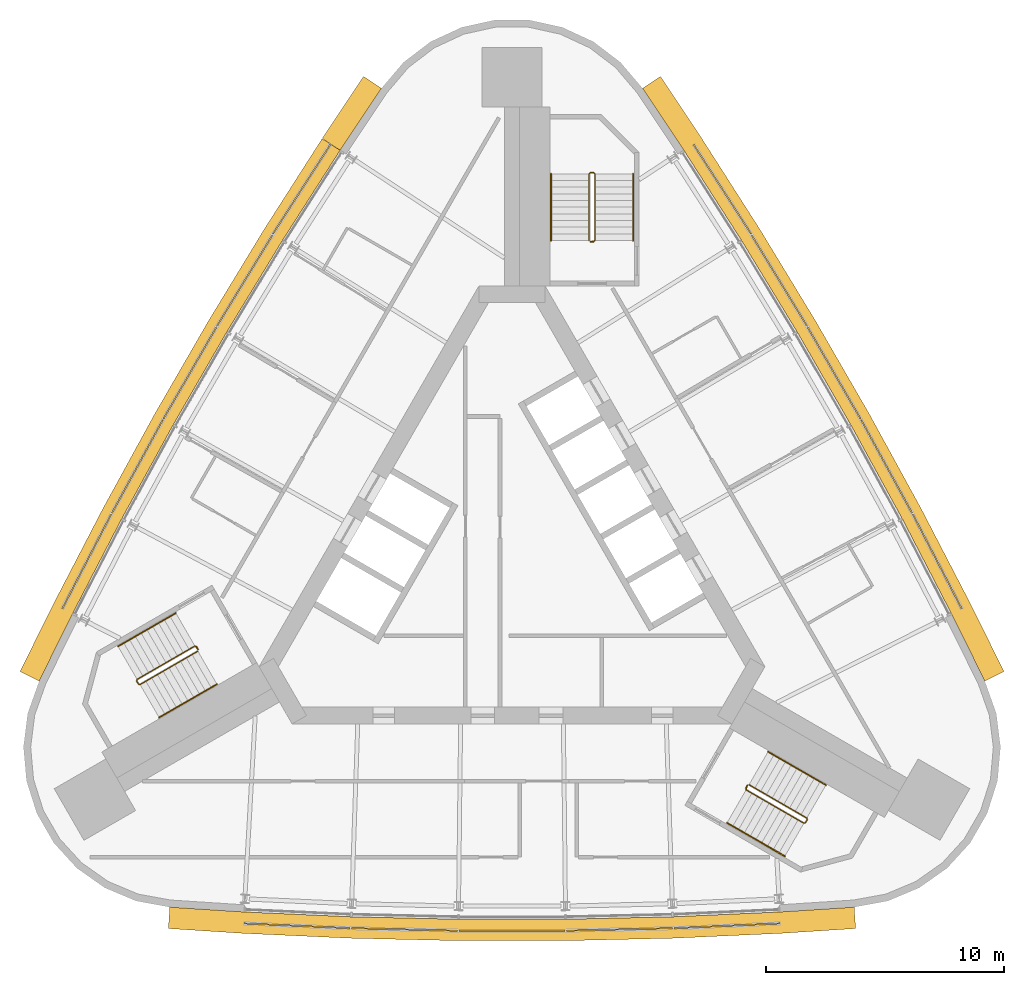
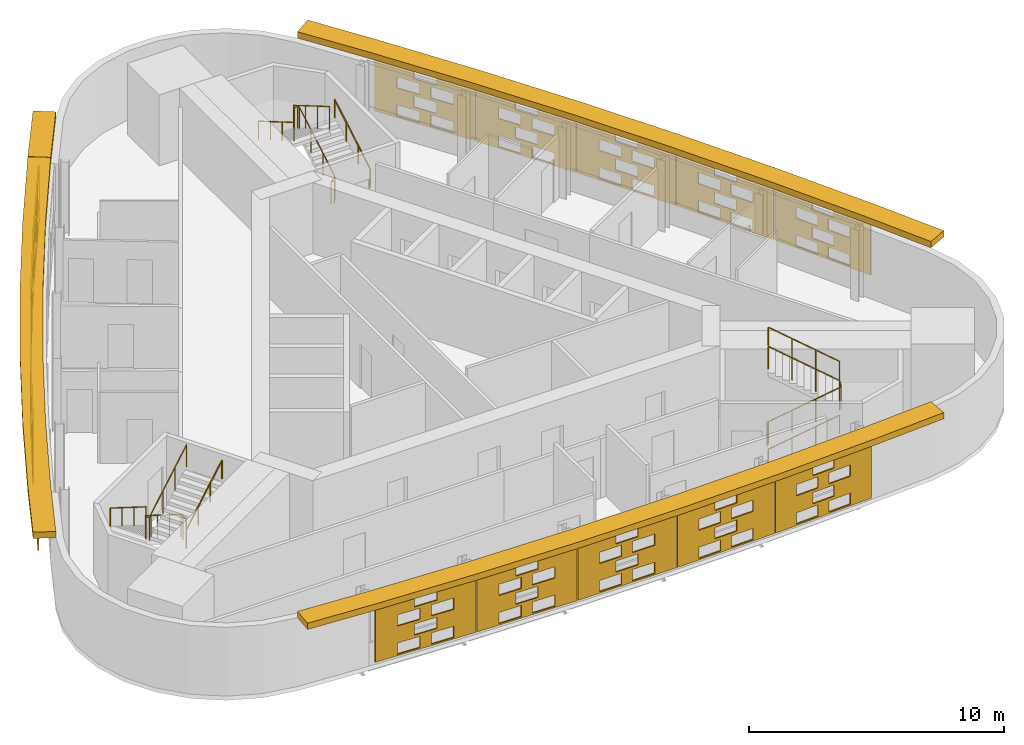
# One storey, part 9 of 9: 19 shading devices, 9 railings.
"""IFC4 building model written with IfcOpenShell, lengths in metres."""

from ifc_helpers import new_model, si_unit, direction, frame, origin, origin_2d, place, context, subcontext, project, spatial, polyline, circle, outline, extrude, material, material_profile, profile_set, type_object, element, save


model = new_model("IFC4")

# Units and contexts
model_context = context("Model", 3, precision=1e-05, world=origin(), true_north=direction((0.0, 1.0)))
body_context = subcontext(model_context, "Body", "Model", "MODEL_VIEW")
ifc_project = project(units=[si_unit("LENGTHUNIT", "METRE"), si_unit("AREAUNIT", "SQUARE_METRE"), si_unit("VOLUMEUNIT", "CUBIC_METRE"), si_unit("PLANEANGLEUNIT", "RADIAN"), si_unit("MASSUNIT", "GRAM", prefix="KILO")], contexts=[model_context])

# Site, building, storey
site_placement = place(None, origin())
site = spatial("IfcSite", under=ifc_project, at=site_placement, CompositionType="ELEMENT")
building_placement = place(site_placement, origin())
building = spatial("IfcBuilding", under=site, at=building_placement, Name="Noor Cloister Tower", CompositionType="ELEMENT")
storey_placement = place(building_placement, frame((0.0, 0.0, 236.39990234375)))
storey = spatial("IfcBuildingStorey", under=building, at=storey_placement, Name="L61", CompositionType="ELEMENT", Elevation=236.39990234375)

# Shading devices
ifc_material_1 = material(Name="Limestone", Category="masonry")
ifc_material_profile = material_profile(ifc_material_1, outline(polyline([(-2.22998046875, -1.35009765625), (2.22998046875, -1.35009765625), (2.22998046875, 1.35009765625), (-2.22998046875, 1.35009765625), (-2.22998046875, -1.35009765625)]), holes=[polyline([(-1.25, -1.282470703125), (-0.25, -1.282470703125), (-0.25, -0.742431640625), (-1.25, -0.742431640625), (-1.25, -1.282470703125)]), polyline([(0.25, -1.282470703125), (1.25, -1.282470703125), (1.25, -0.742431640625), (0.25, -0.742431640625), (0.25, -1.282470703125)]), polyline([(-0.5, -0.607421875), (0.5, -0.607421875), (0.5, -0.0673828125), (-0.5, -0.0673828125), (-0.5, -0.607421875)]), polyline([(-1.25, 0.0673828125), (-0.25, 0.0673828125), (-0.25, 0.607421875), (-1.25, 0.607421875), (-1.25, 0.0673828125)]), polyline([(0.25, 0.0673828125), (1.25, 0.0673828125), (1.25, 0.607421875), (0.25, 0.607421875), (0.25, 0.0673828125)]), polyline([(-0.5, 0.742431640625), (0.5, 0.742431640625), (0.5, 1.282470703125), (-0.5, 1.282470703125), (-0.5, 0.742431640625)])]), Name="Woven screen 35 percent open")
ifc_profile_set = profile_set([ifc_material_profile], Name="Limestone")
shading_device_type_1 = type_object("IfcShadingDeviceType", Name="SCREEN woven limestone 35 percent open", PredefinedType="USERDEFINED", material=ifc_profile_set)
for number, where, z_axis, x_axis, name in (
    (1, (-8.8037109375, 15.494384765625, 1.85009765625), (-0.841310503427, 0.540552159207, 0.0), (-0.540552159207, -0.841310503427, 0.0), "SCREEN L61 1"),
    (2, (-11.18994140625, 11.667724609375, 1.85009765625), (-0.853884327381, 0.520462828118, 0.0), (-0.520462828118, -0.853884327381, 0.0), "SCREEN L61 2"),
    (3, (-13.489013671875, 7.787841796875, 1.85009765625), (-0.865982457891, 0.500074377092, 0.0), (-0.500074377092, -0.865982457891, 0.0), "SCREEN L61 3"),
    (4, (-15.699462890625, 3.85693359375, 1.85009765625), (-0.877584848731, 0.479421352547, 0.0), (-0.479421352547, -0.877584848731, 0.0), "SCREEN L61 4"),
    (5, (-17.820556640625, -0.123046875, 1.85009765625), (-0.887816162103, 0.460198285861, 0.0), (-0.460198285861, -0.887816162103, 0.0), "SCREEN L61 5"),
):
    element("IfcShadingDevice", number, at=place(storey_placement, frame(where, z_axis=z_axis, x_axis=x_axis)), inside=storey, type_object=shading_device_type_1, Name=name, ObjectType="SCREEN", PredefinedType="USERDEFINED", context=body_context, shape_type="SweptSolid", body=[
        extrude(outline(polyline([(-2.22998046875, -1.35009765625), (2.22998046875, -1.35009765625), (2.22998046875, 1.35009765625), (-2.22998046875, 1.35009765625), (-2.22998046875, -1.35009765625)]), holes=[polyline([(-1.25, -1.282470703125), (-0.25, -1.282470703125), (-0.25, -0.742431640625), (-1.25, -0.742431640625), (-1.25, -1.282470703125)]), polyline([(0.25, -1.282470703125), (1.25, -1.282470703125), (1.25, -0.742431640625), (0.25, -0.742431640625), (0.25, -1.282470703125)]), polyline([(-0.5, -0.607421875), (0.5, -0.607421875), (0.5, -0.0673828125), (-0.5, -0.0673828125), (-0.5, -0.607421875)]), polyline([(-1.25, 0.0673828125), (-0.25, 0.0673828125), (-0.25, 0.607421875), (-1.25, 0.607421875), (-1.25, 0.0673828125)]), polyline([(0.25, 0.0673828125), (1.25, 0.0673828125), (1.25, 0.607421875), (0.25, 0.607421875), (0.25, 0.0673828125)]), polyline([(-0.5, 0.742431640625), (0.5, 0.742431640625), (0.5, 1.282470703125), (-0.5, 1.282470703125), (-0.5, 0.742431640625)])]), origin(), (0.0, 0.0, 1.0), 0.06005859375),
    ])
shading_device_1_placement = place(storey_placement, frame((-9.016845703125, -15.37158203125, 1.85009765625), z_axis=(-0.044852774233, -0.998993607909, 0.0), x_axis=(0.998993607909, -0.044852774233, 0.0)))
element("IfcShadingDevice", 6, at=shading_device_1_placement, inside=storey, type_object=shading_device_type_1, Name="SCREEN L61 1", ObjectType="SCREEN", PredefinedType="USERDEFINED", context=body_context, shape_type="SweptSolid", body=[
    extrude(outline(polyline([(-2.22998046875, -1.35009765625), (2.22998046875, -1.35009765625), (2.22998046875, 1.35009765625), (-2.22998046875, 1.35009765625), (-2.22998046875, -1.35009765625)]), holes=[polyline([(-1.25, -1.282470703125), (-0.25, -1.282470703125), (-0.25, -0.742431640625), (-1.25, -0.742431640625), (-1.25, -1.282470703125)]), polyline([(0.25, -1.282470703125), (1.25, -1.282470703125), (1.25, -0.742431640625), (0.25, -0.742431640625), (0.25, -1.282470703125)]), polyline([(-0.5, -0.607421875), (0.5, -0.607421875), (0.5, -0.0673828125), (-0.5, -0.0673828125), (-0.5, -0.607421875)]), polyline([(-1.25, 0.0673828125), (-0.25, 0.0673828125), (-0.25, 0.607421875), (-1.25, 0.607421875), (-1.25, 0.0673828125)]), polyline([(0.25, 0.0673828125), (1.25, 0.0673828125), (1.25, 0.607421875), (0.25, 0.607421875), (0.25, 0.0673828125)]), polyline([(-0.5, 0.742431640625), (0.5, 0.742431640625), (0.5, 1.282470703125), (-0.5, 1.282470703125), (-0.5, 0.742431640625)])]), origin(), (0.0, 0.0, 1.0), 0.059814453125),
])
for number, where, z_axis, x_axis, name in (
    (7, (-4.509521484375, -15.524658203125, 1.85009765625), (-0.024382992455, -0.999702690643, 0.0), (0.999702690643, -0.024382992455, 0.0), "SCREEN L61 2"),
    (8, (0.0, -15.57568359375, 1.85009765625), (0.0, -1.0, 0.0), (1.0, 0.0, 0.0), "SCREEN L61 3"),
    (9, (4.509521484375, -15.524658203125, 1.85009765625), (0.024382992455, -0.999702690643, 0.0), (0.999702690643, 0.024382992455, 0.0), "SCREEN L61 4"),
):
    element("IfcShadingDevice", number, at=place(storey_placement, frame(where, z_axis=z_axis, x_axis=x_axis)), inside=storey, type_object=shading_device_type_1, Name=name, ObjectType="SCREEN", PredefinedType="USERDEFINED", context=body_context, shape_type="SweptSolid", body=[
        extrude(outline(polyline([(-2.22998046875, -1.35009765625), (2.22998046875, -1.35009765625), (2.22998046875, 1.35009765625), (-2.22998046875, 1.35009765625), (-2.22998046875, -1.35009765625)]), holes=[polyline([(-1.25, -1.282470703125), (-0.25, -1.282470703125), (-0.25, -0.742431640625), (-1.25, -0.742431640625), (-1.25, -1.282470703125)]), polyline([(0.25, -1.282470703125), (1.25, -1.282470703125), (1.25, -0.742431640625), (0.25, -0.742431640625), (0.25, -1.282470703125)]), polyline([(-0.5, -0.607421875), (0.5, -0.607421875), (0.5, -0.0673828125), (-0.5, -0.0673828125), (-0.5, -0.607421875)]), polyline([(-1.25, 0.0673828125), (-0.25, 0.0673828125), (-0.25, 0.607421875), (-1.25, 0.607421875), (-1.25, 0.0673828125)]), polyline([(0.25, 0.0673828125), (1.25, 0.0673828125), (1.25, 0.607421875), (0.25, 0.607421875), (0.25, 0.0673828125)]), polyline([(-0.5, 0.742431640625), (0.5, 0.742431640625), (0.5, 1.282470703125), (-0.5, 1.282470703125), (-0.5, 0.742431640625)])]), origin(), (0.0, 0.0, 1.0), 0.06005859375),
    ])
shading_device_2_placement = place(storey_placement, frame((9.016845703125, -15.37158203125, 1.85009765625), z_axis=(0.044852774233, -0.998993607909, 0.0), x_axis=(0.998993607909, 0.044852774233, 0.0)))
element("IfcShadingDevice", 10, at=shading_device_2_placement, inside=storey, type_object=shading_device_type_1, Name="SCREEN L61 5", ObjectType="SCREEN", PredefinedType="USERDEFINED", context=body_context, shape_type="SweptSolid", body=[
    extrude(outline(polyline([(-2.22998046875, -1.35009765625), (2.22998046875, -1.35009765625), (2.22998046875, 1.35009765625), (-2.22998046875, 1.35009765625), (-2.22998046875, -1.35009765625)]), holes=[polyline([(-1.25, -1.282470703125), (-0.25, -1.282470703125), (-0.25, -0.742431640625), (-1.25, -0.742431640625), (-1.25, -1.282470703125)]), polyline([(0.25, -1.282470703125), (1.25, -1.282470703125), (1.25, -0.742431640625), (0.25, -0.742431640625), (0.25, -1.282470703125)]), polyline([(-0.5, -0.607421875), (0.5, -0.607421875), (0.5, -0.0673828125), (-0.5, -0.0673828125), (-0.5, -0.607421875)]), polyline([(-1.25, 0.0673828125), (-0.25, 0.0673828125), (-0.25, 0.607421875), (-1.25, 0.607421875), (-1.25, 0.0673828125)]), polyline([(0.25, 0.0673828125), (1.25, 0.0673828125), (1.25, 0.607421875), (0.25, 0.607421875), (0.25, 0.0673828125)]), polyline([(-0.5, 0.742431640625), (0.5, 0.742431640625), (0.5, 1.282470703125), (-0.5, 1.282470703125), (-0.5, 0.742431640625)])]), origin(), (0.0, 0.0, 1.0), 0.059814453125),
])
for number, where, z_axis, x_axis, name in (
    (11, (17.820556640625, -0.123046875, 1.85009765625), (0.887816162103, 0.460198285861, 0.0), (-0.460198285861, 0.887816162103, 0.0), "SCREEN L61 1"),
    (12, (15.699462890625, 3.85693359375, 1.85009765625), (0.877584848731, 0.479421352547, 0.0), (-0.479421352547, 0.877584848731, 0.0), "SCREEN L61 2"),
    (13, (13.489013671875, 7.787841796875, 1.85009765625), (0.865982457891, 0.500074377092, 0.0), (-0.500074377092, 0.865982457891, 0.0), "SCREEN L61 3"),
    (14, (11.18994140625, 11.667724609375, 1.85009765625), (0.853884327381, 0.520462828118, 0.0), (-0.520462828118, 0.853884327381, 0.0), "SCREEN L61 4"),
    (15, (8.8037109375, 15.494384765625, 1.85009765625), (0.841310503427, 0.540552159207, 0.0), (-0.540552159207, 0.841310503427, 0.0), "SCREEN L61 5"),
):
    element("IfcShadingDevice", number, at=place(storey_placement, frame(where, z_axis=z_axis, x_axis=x_axis)), inside=storey, type_object=shading_device_type_1, Name=name, ObjectType="SCREEN", PredefinedType="USERDEFINED", context=body_context, shape_type="SweptSolid", body=[
        extrude(outline(polyline([(-2.22998046875, -1.35009765625), (2.22998046875, -1.35009765625), (2.22998046875, 1.35009765625), (-2.22998046875, 1.35009765625), (-2.22998046875, -1.35009765625)]), holes=[polyline([(-1.25, -1.282470703125), (-0.25, -1.282470703125), (-0.25, -0.742431640625), (-1.25, -0.742431640625), (-1.25, -1.282470703125)]), polyline([(0.25, -1.282470703125), (1.25, -1.282470703125), (1.25, -0.742431640625), (0.25, -0.742431640625), (0.25, -1.282470703125)]), polyline([(-0.5, -0.607421875), (0.5, -0.607421875), (0.5, -0.0673828125), (-0.5, -0.0673828125), (-0.5, -0.607421875)]), polyline([(-1.25, 0.0673828125), (-0.25, 0.0673828125), (-0.25, 0.607421875), (-1.25, 0.607421875), (-1.25, 0.0673828125)]), polyline([(0.25, 0.0673828125), (1.25, 0.0673828125), (1.25, 0.607421875), (0.25, 0.607421875), (0.25, 0.0673828125)]), polyline([(-0.5, 0.742431640625), (0.5, 0.742431640625), (0.5, 1.282470703125), (-0.5, 1.282470703125), (-0.5, 0.742431640625)])]), origin(), (0.0, 0.0, 1.0), 0.06005859375),
    ])
ifc_material_2 = material(Name="Limestone", Category="masonry")
shading_device_type_2 = type_object("IfcShadingDeviceType", Name="SUNSHADE limestone band 900", PredefinedType="USERDEFINED", material=ifc_material_2)
shading_device_3_placement = place(storey_placement, frame((0.0, 0.0, 3.300048828125)))
element("IfcShadingDevice", 16, at=shading_device_3_placement, inside=storey, type_object=shading_device_type_2, Name="SUNSHADE L61 1", ObjectType="SUNSHADE", PredefinedType="USERDEFINED", context=body_context, shape_type="SweptSolid", body=[
    extrude(outline(polyline([(-7.970703125, 17.632568359375), (-10.400390625, 13.832763671875), (-12.74853515625, 9.97021484375), (-15.0087890625, 6.0556640625), (-17.1796875, 2.090576171875), (-19.259521484375, -1.9208984375), (-20.64892578125, -4.731689453125), (-19.842041015625, -5.13037109375), (-18.45654296875, -2.32763671875), (-16.385498046875, 1.66748046875), (-14.224365234375, 5.6142578125), (-11.974365234375, 9.511474609375), (-9.63671875, 13.3564453125), (-7.212646484375, 17.147705078125), (-7.970703125, 17.632568359375)])), origin(), (0.0, 0.0, 1.0), 0.300048828125),
])
shading_device_4_placement = place(storey_placement, frame((0.0, 0.0, 3.300048828125)))
element("IfcShadingDevice", 17, at=shading_device_4_placement, inside=storey, type_object=shading_device_type_2, Name="SUNSHADE L61 2", ObjectType="SUNSHADE", PredefinedType="USERDEFINED", context=body_context, shape_type="SweptSolid", body=[
    extrude(outline(polyline([(-14.422119140625, -15.5166015625), (-11.29345703125, -15.71875), (-6.779296875, -15.92333984375), (-2.26025390625, -16.02587890625), (2.26025390625, -16.02587890625), (6.779296875, -15.92333984375), (11.29345703125, -15.71875), (14.422119140625, -15.5166015625), (14.3642578125, -14.61865234375), (11.243896484375, -14.820068359375), (6.748779296875, -15.02392578125), (2.25, -15.125732421875), (-2.25, -15.125732421875), (-6.748779296875, -15.02392578125), (-11.243896484375, -14.820068359375), (-14.3642578125, -14.61865234375), (-14.422119140625, -15.5166015625)])), origin(), (0.0, 0.0, 1.0), 0.300048828125),
])
shading_device_5_placement = place(storey_placement, frame((0.0, 0.0, 3.300048828125)))
element("IfcShadingDevice", 18, at=shading_device_5_placement, inside=storey, type_object=shading_device_type_2, Name="SUNSHADE L61 3", ObjectType="SUNSHADE", PredefinedType="USERDEFINED", context=body_context, shape_type="SweptSolid", body=[
    extrude(outline(polyline([(20.64892578125, -4.731689453125), (19.259521484375, -1.9208984375), (17.1796875, 2.090576171875), (15.0087890625, 6.0556640625), (12.74853515625, 9.97021484375), (10.400390625, 13.832763671875), (7.966064453125, 17.6396484375), (6.226806640625, 20.248291015625), (5.47802734375, 19.7490234375), (7.212646484375, 17.147705078125), (9.63671875, 13.3564453125), (11.974365234375, 9.511474609375), (14.224365234375, 5.6142578125), (16.385498046875, 1.66748046875), (18.45654296875, -2.32763671875), (19.842041015625, -5.13037109375), (20.64892578125, -4.731689453125)])), origin(), (0.0, 0.0, 1.0), 0.300048828125),
])
shading_device_6_placement = place(storey_placement, frame((0.0, 0.0, 3.300048828125)))
element("IfcShadingDevice", 19, at=shading_device_6_placement, inside=storey, type_object=shading_device_type_2, Name="SUNSHADE L61 4", ObjectType="SUNSHADE", PredefinedType="USERDEFINED", context=body_context, shape_type="SweptSolid", body=[
    extrude(outline(polyline([(-6.226806640625, 20.248291015625), (-7.96142578125, 17.64697265625), (-7.212646484375, 17.147705078125), (-5.47802734375, 19.7490234375), (-6.226806640625, 20.248291015625)])), origin(), (0.0, 0.0, 1.0), 0.300048828125),
])

# Railings
ifc_material_3 = material(Name="Stainless steel", Category="steel")
railing_type_1 = type_object("IfcRailingType", Name="Stair guard 1100", PredefinedType="GUARDRAIL", material=ifc_material_3)
railing_1_placement = place(storey_placement, frame((3.435546875, 13.306396484375, 0.0)))
element("IfcRailing", 20, at=railing_1_placement, inside=storey, type_object=railing_type_1, Name="Stair guard ST1 L61", PredefinedType="GUARDRAIL", context=body_context, shape_type="SweptSolid", body=[
    extrude(circle(Radius=0.02392578125, at=origin_2d()), frame((0.0, 0.0, 1.076171875), z_axis=(-1.0, 0.0, 0.0), x_axis=(0.0, -1.0, 0.0)), (0.0, 0.0, 1.0), 0.14990234375),
    extrude(circle(Radius=0.02392578125, at=origin_2d()), frame((-0.14990234375, 0.0, 1.076171875), z_axis=(0.759432192796, 0.190089865108, 0.622196582865), x_axis=(-0.242814311512, 0.970072785993, 0.0)), (0.0, 0.0, 1.0), 0.26318359375),
    extrude(circle(Radius=0.02392578125, at=origin_2d()), frame((0.050048828125, 0.050048828125, 1.23974609375), z_axis=(0.0, 0.863393664356, 0.504530851732), x_axis=(-1.0, 0.0, 0.0)), (0.0, 0.0, 1.0), 3.2431640625),
    extrude(circle(Radius=0.02392578125, at=origin_2d()), frame((0.050048828125, 2.85009765625, 2.8759765625), z_axis=(-0.708833529934, 0.705375805398, 0.0), x_axis=(-0.705375805398, -0.708833529934, 0.0)), (0.0, 0.0, 1.0), 0.070556640625),
    extrude(circle(Radius=0.02392578125, at=origin_2d()), frame((0.0, 2.89990234375, 2.8759765625), z_axis=(-1.0, 0.0, 0.0), x_axis=(0.0, -1.0, 0.0)), (0.0, 0.0, 1.0), 0.14990234375),
    extrude(circle(Radius=0.02392578125, at=origin_2d()), frame((-0.14990234375, 2.89990234375, 2.8759765625), z_axis=(-0.280916556609, -0.279546231943, 0.91811752648), x_axis=(0.705375805398, -0.708833529934, 0.0)), (0.0, 0.0, 1.0), 0.17822265625),
    extrude(circle(Radius=0.02392578125, at=origin_2d()), frame((-0.199951171875, 2.85009765625, 3.03955078125), z_axis=(0.0, -0.863360870873, 0.504586966384), x_axis=(1.0, 0.0, 0.0)), (0.0, 0.0, 1.0), 3.2431640625),
    extrude(circle(Radius=0.02099609375, at=origin_2d()), origin(), (0.0, 0.0, 1.0), 1.052001953125),
    extrude(circle(Radius=0.02099609375, at=origin_2d()), frame((-0.14990234375, 0.0, 0.0)), (0.0, 0.0, 1.0), 1.052001953125),
    extrude(circle(Radius=0.02099609375, at=origin_2d()), frame((0.050048828125, 0.050048828125, 0.163818359375)), (0.0, 0.0, 1.0), 1.052001953125),
    extrude(circle(Radius=0.02099609375, at=origin_2d()), frame((0.050048828125, 0.9833984375, 0.709228515625)), (0.0, 0.0, 1.0), 1.052001953125),
    extrude(circle(Radius=0.02099609375, at=origin_2d()), frame((0.050048828125, 1.916748046875, 1.254638671875)), (0.0, 0.0, 1.0), 1.052001953125),
    extrude(circle(Radius=0.02099609375, at=origin_2d()), frame((0.050048828125, 2.85009765625, 1.800048828125)), (0.0, 0.0, 1.0), 1.052001953125),
    extrude(circle(Radius=0.02099609375, at=origin_2d()), frame((0.0, 2.89990234375, 1.800048828125)), (0.0, 0.0, 1.0), 1.052001953125),
    extrude(circle(Radius=0.02099609375, at=origin_2d()), frame((-0.14990234375, 2.89990234375, 1.800048828125)), (0.0, 0.0, 1.0), 1.052001953125),
    extrude(circle(Radius=0.02099609375, at=origin_2d()), frame((-0.199951171875, 2.85009765625, 1.963623046875)), (0.0, 0.0, 1.0), 1.052001953125),
    extrude(circle(Radius=0.02099609375, at=origin_2d()), frame((-0.199951171875, 1.916748046875, 2.509033203125)), (0.0, 0.0, 1.0), 1.052001953125),
    extrude(circle(Radius=0.02099609375, at=origin_2d()), frame((-0.199951171875, 0.9833984375, 3.0546875)), (0.0, 0.0, 1.0), 1.052001953125),
    extrude(circle(Radius=0.02099609375, at=origin_2d()), frame((-0.199951171875, 0.050048828125, 3.60009765625)), (0.0, 0.0, 1.0), 1.052001953125),
])
railing_2_placement = place(storey_placement, frame((-13.241455078125, -3.677734375, 0.0)))
element("IfcRailing", 21, at=railing_2_placement, inside=storey, type_object=railing_type_1, Name="Stair guard ST2 L61", PredefinedType="GUARDRAIL", context=body_context, shape_type="SweptSolid", body=[
    extrude(circle(Radius=0.02392578125, at=origin_2d()), frame((0.0, 0.0, 1.076171875), z_axis=(0.499112439033, -0.866537231285, 0.0), x_axis=(0.866537231285, 0.499112439033, 0.0)), (0.0, 0.0, 1.0), 0.150146484375),
    extrude(circle(Radius=0.02392578125, at=origin_2d()), frame((0.074951171875, -0.130126953125, 1.076171875), z_axis=(-0.544251820729, 0.562795323991, 0.622134534428), x_axis=(-0.718850276695, -0.695164929852, 0.0)), (0.0, 0.0, 1.0), 0.263427734375),
    extrude(circle(Radius=0.02392578125, at=origin_2d()), frame((-0.068359375, 0.01806640625, 1.23974609375), z_axis=(-0.74771821388, -0.431677027627, 0.504551698492), x_axis=(0.49998411664, -0.866034573852, 0.0)), (0.0, 0.0, 1.0), 3.242919921875),
    extrude(circle(Radius=0.02392578125, at=origin_2d()), frame((-2.4931640625, -1.3818359375, 2.8759765625), z_axis=(-0.258736085224, -0.965948051503, 0.0), x_axis=(0.965948051503, -0.258736085224, 0.0)), (0.0, 0.0, 1.0), 0.07080078125),
    extrude(circle(Radius=0.02392578125, at=origin_2d()), frame((-2.511474609375, -1.4501953125, 2.8759765625), z_axis=(0.499816412211, -0.866131372301, 0.0), x_axis=(0.866131372301, 0.499816412211, 0.0)), (0.0, 0.0, 1.0), 0.14990234375),
    extrude(circle(Radius=0.02392578125, at=origin_2d()), frame((-2.4365234375, -1.580078125, 2.8759765625), z_axis=(0.383552647116, -0.102737316192, 0.917786691313), x_axis=(0.258736085224, 0.965948051503, 0.0)), (0.0, 0.0, 1.0), 0.17822265625),
    extrude(circle(Radius=0.02392578125, at=origin_2d()), frame((-2.3681640625, -1.598388671875, 3.03955078125), z_axis=(0.747665513933, 0.431721881032, 0.504591415616), x_axis=(-0.500049511043, 0.865996816683, 0.0)), (0.0, 0.0, 1.0), 3.2431640625),
    extrude(circle(Radius=0.02099609375, at=origin_2d()), origin(), (0.0, 0.0, 1.0), 1.052001953125),
    extrude(circle(Radius=0.02099609375, at=origin_2d()), frame((0.074951171875, -0.130126953125, 0.0)), (0.0, 0.0, 1.0), 1.052001953125),
    extrude(circle(Radius=0.02099609375, at=origin_2d()), frame((-0.068359375, 0.01806640625, 0.163818359375)), (0.0, 0.0, 1.0), 1.052001953125),
    extrude(circle(Radius=0.02099609375, at=origin_2d()), frame((-0.876708984375, -0.448486328125, 0.709228515625)), (0.0, 0.0, 1.0), 1.052001953125),
    extrude(circle(Radius=0.02099609375, at=origin_2d()), frame((-1.684814453125, -0.915283203125, 1.254638671875)), (0.0, 0.0, 1.0), 1.052001953125),
    extrude(circle(Radius=0.02099609375, at=origin_2d()), frame((-2.4931640625, -1.3818359375, 1.800048828125)), (0.0, 0.0, 1.0), 1.052001953125),
    extrude(circle(Radius=0.02099609375, at=origin_2d()), frame((-2.511474609375, -1.4501953125, 1.800048828125)), (0.0, 0.0, 1.0), 1.052001953125),
    extrude(circle(Radius=0.02099609375, at=origin_2d()), frame((-2.4365234375, -1.580078125, 1.800048828125)), (0.0, 0.0, 1.0), 1.052001953125),
    extrude(circle(Radius=0.02099609375, at=origin_2d()), frame((-2.3681640625, -1.598388671875, 1.963623046875)), (0.0, 0.0, 1.0), 1.052001953125),
    extrude(circle(Radius=0.02099609375, at=origin_2d()), frame((-1.559814453125, -1.131591796875, 2.509033203125)), (0.0, 0.0, 1.0), 1.052001953125),
    extrude(circle(Radius=0.02099609375, at=origin_2d()), frame((-0.751708984375, -0.6650390625, 3.0546875)), (0.0, 0.0, 1.0), 1.052001953125),
    extrude(circle(Radius=0.02099609375, at=origin_2d()), frame((0.056640625, -0.1982421875, 3.60009765625)), (0.0, 0.0, 1.0), 1.052001953125),
])
railing_3_placement = place(storey_placement, frame((9.805908203125, -9.628662109375, 0.0)))
element("IfcRailing", 22, at=railing_3_placement, inside=storey, type_object=railing_type_1, Name="Stair guard ST3 L61", PredefinedType="GUARDRAIL", context=body_context, shape_type="SweptSolid", body=[
    extrude(circle(Radius=0.02392578125, at=origin_2d()), frame((0.0, 0.0, 1.076171875), z_axis=(0.499112439033, 0.866537231285, 0.0), x_axis=(-0.866537231285, 0.499112439033, 0.0)), (0.0, 0.0, 1.0), 0.150146484375),
    extrude(circle(Radius=0.02392578125, at=origin_2d()), frame((0.074951171875, 0.130126953125, 1.076171875), z_axis=(-0.215090770512, -0.752817696793, 0.622094426784), x_axis=(0.961523947641, -0.274721127897, 0.0)), (0.0, 0.0, 1.0), 0.263427734375),
    extrude(circle(Radius=0.02392578125, at=origin_2d()), frame((0.018310546875, -0.068115234375, 1.23974609375), z_axis=(0.747693913401, -0.431738279637, 0.504535300807), x_axis=(0.500049511043, 0.865996816683, 0.0)), (0.0, 0.0, 1.0), 3.2431640625),
    extrude(circle(Radius=0.02392578125, at=origin_2d()), frame((2.443115234375, -1.46826171875, 2.8759765625), z_axis=(0.965948051503, 0.258736085224, 0.0), x_axis=(-0.258736085224, 0.965948051503, 0.0)), (0.0, 0.0, 1.0), 0.07080078125),
    extrude(circle(Radius=0.02392578125, at=origin_2d()), frame((2.511474609375, -1.449951171875, 2.8759765625), z_axis=(0.499816412211, 0.866131372301, 0.0), x_axis=(-0.866131372301, 0.499816412211, 0.0)), (0.0, 0.0, 1.0), 0.14990234375),
    extrude(circle(Radius=0.02392578125, at=origin_2d()), frame((2.58642578125, -1.320068359375, 2.8759765625), z_axis=(-0.102737316192, 0.383552647116, 0.917786691313), x_axis=(-0.965948051503, -0.258736085224, 0.0)), (0.0, 0.0, 1.0), 0.17822265625),
    extrude(circle(Radius=0.02392578125, at=origin_2d()), frame((2.568115234375, -1.251708984375, 3.03955078125), z_axis=(-0.747689811644, 0.431660630283, 0.504607813879), x_axis=(-0.49998411664, -0.866034573852, 0.0)), (0.0, 0.0, 1.0), 3.2431640625),
    extrude(circle(Radius=0.02099609375, at=origin_2d()), origin(), (0.0, 0.0, 1.0), 1.052001953125),
    extrude(circle(Radius=0.02099609375, at=origin_2d()), frame((0.074951171875, 0.130126953125, 0.0)), (0.0, 0.0, 1.0), 1.052001953125),
    extrude(circle(Radius=0.02099609375, at=origin_2d()), frame((0.018310546875, -0.068115234375, 0.163818359375)), (0.0, 0.0, 1.0), 1.052001953125),
    extrude(circle(Radius=0.02099609375, at=origin_2d()), frame((0.82666015625, -0.534912109375, 0.709228515625)), (0.0, 0.0, 1.0), 1.052001953125),
    extrude(circle(Radius=0.02099609375, at=origin_2d()), frame((1.634765625, -1.00146484375, 1.254638671875)), (0.0, 0.0, 1.0), 1.052001953125),
    extrude(circle(Radius=0.02099609375, at=origin_2d()), frame((2.443115234375, -1.46826171875, 1.800048828125)), (0.0, 0.0, 1.0), 1.052001953125),
    extrude(circle(Radius=0.02099609375, at=origin_2d()), frame((2.511474609375, -1.449951171875, 1.800048828125)), (0.0, 0.0, 1.0), 1.052001953125),
    extrude(circle(Radius=0.02099609375, at=origin_2d()), frame((2.58642578125, -1.320068359375, 1.800048828125)), (0.0, 0.0, 1.0), 1.052001953125),
    extrude(circle(Radius=0.02099609375, at=origin_2d()), frame((2.568115234375, -1.251708984375, 1.963623046875)), (0.0, 0.0, 1.0), 1.052001953125),
    extrude(circle(Radius=0.02099609375, at=origin_2d()), frame((1.759765625, -0.78515625, 2.509033203125)), (0.0, 0.0, 1.0), 1.052001953125),
    extrude(circle(Radius=0.02099609375, at=origin_2d()), frame((0.95166015625, -0.318359375, 3.0546875)), (0.0, 0.0, 1.0), 1.052001953125),
    extrude(circle(Radius=0.02099609375, at=origin_2d()), frame((0.143310546875, 0.148193359375, 3.60009765625)), (0.0, 0.0, 1.0), 1.052001953125),
])
ifc_material_4 = material(Name="Stainless steel", Category="steel")
railing_type_2 = type_object("IfcRailingType", Name="Stair handrail 900", PredefinedType="HANDRAIL", material=ifc_material_4)
railing_4_placement = place(storey_placement, frame((5.085693359375, 13.3564453125, 0.163818359375)))
element("IfcRailing", 23, at=railing_4_placement, inside=storey, type_object=railing_type_2, Name="Stair handrail ST1 L61 1", PredefinedType="HANDRAIL", context=body_context, shape_type="SweptSolid", body=[
    extrude(circle(Radius=0.02392578125, at=origin_2d()), frame((0.0, 0.0, 0.8759765625), z_axis=(0.0, 0.863393664356, 0.504530851732), x_axis=(-1.0, 0.0, 0.0)), (0.0, 0.0, 1.0), 3.2431640625),
    extrude(circle(Radius=0.02099609375, at=origin_2d()), origin(), (0.0, 0.0, 1.0), 0.851806640625),
    extrude(circle(Radius=0.02099609375, at=origin_2d()), frame((0.0, 0.933349609375, 0.54541015625)), (0.0, 0.0, 1.0), 0.851806640625),
    extrude(circle(Radius=0.02099609375, at=origin_2d()), frame((0.0, 1.86669921875, 1.0908203125)), (0.0, 0.0, 1.0), 0.851806640625),
    extrude(circle(Radius=0.02099609375, at=origin_2d()), frame((0.0, 2.800048828125, 1.63623046875)), (0.0, 0.0, 1.0), 0.851806640625),
])
railing_5_placement = place(storey_placement, frame((1.6357421875, 16.156494140625, 1.963623046875)))
element("IfcRailing", 24, at=railing_5_placement, inside=storey, type_object=railing_type_2, Name="Stair handrail ST1 L61 2", PredefinedType="HANDRAIL", context=body_context, shape_type="SweptSolid", body=[
    extrude(circle(Radius=0.02392578125, at=origin_2d()), frame((0.0, 0.0, 0.8759765625), z_axis=(0.0, -0.863360870873, 0.504586966384), x_axis=(1.0, 0.0, 0.0)), (0.0, 0.0, 1.0), 3.2431640625),
    extrude(circle(Radius=0.02099609375, at=origin_2d()), origin(), (0.0, 0.0, 1.0), 0.851806640625),
    extrude(circle(Radius=0.02099609375, at=origin_2d()), frame((0.0, -0.933349609375, 0.54541015625)), (0.0, 0.0, 1.0), 0.851806640625),
    extrude(circle(Radius=0.02099609375, at=origin_2d()), frame((0.0, -1.86669921875, 1.091064453125)), (0.0, 0.0, 1.0), 0.851806640625),
    extrude(circle(Radius=0.02099609375, at=origin_2d()), frame((0.0, -2.800048828125, 1.636474609375)), (0.0, 0.0, 1.0), 0.851806640625),
])
railing_6_placement = place(storey_placement, frame((-14.10986328125, -2.27392578125, 0.163818359375)))
element("IfcRailing", 25, at=railing_6_placement, inside=storey, type_object=railing_type_2, Name="Stair handrail ST2 L61 1", PredefinedType="HANDRAIL", context=body_context, shape_type="SweptSolid", body=[
    extrude(circle(Radius=0.02392578125, at=origin_2d()), frame((0.0, 0.0, 0.8759765625), z_axis=(-0.74771821388, -0.431677027627, 0.504551698492), x_axis=(0.49998411664, -0.866034573852, 0.0)), (0.0, 0.0, 1.0), 3.242919921875),
    extrude(circle(Radius=0.02099609375, at=origin_2d()), origin(), (0.0, 0.0, 1.0), 0.851806640625),
    extrude(circle(Radius=0.02099609375, at=origin_2d()), frame((-0.808349609375, -0.466552734375, 0.54541015625)), (0.0, 0.0, 1.0), 0.851806640625),
    extrude(circle(Radius=0.02099609375, at=origin_2d()), frame((-1.616455078125, -0.933349609375, 1.0908203125)), (0.0, 0.0, 1.0), 0.851806640625),
    extrude(circle(Radius=0.02099609375, at=origin_2d()), frame((-2.4248046875, -1.39990234375, 1.63623046875)), (0.0, 0.0, 1.0), 0.851806640625),
])
railing_7_placement = place(storey_placement, frame((-14.8095703125, -6.66162109375, 1.963623046875)))
element("IfcRailing", 26, at=railing_7_placement, inside=storey, type_object=railing_type_2, Name="Stair handrail ST2 L61 2", PredefinedType="HANDRAIL", context=body_context, shape_type="SweptSolid", body=[
    extrude(circle(Radius=0.02392578125, at=origin_2d()), frame((0.0, 0.0, 0.8759765625), z_axis=(0.747689811644, 0.431660630283, 0.504607813879), x_axis=(-0.49998411664, 0.866034573852, 0.0)), (0.0, 0.0, 1.0), 3.2431640625),
    extrude(circle(Radius=0.02099609375, at=origin_2d()), origin(), (0.0, 0.0, 1.0), 0.851806640625),
    extrude(circle(Radius=0.02099609375, at=origin_2d()), frame((0.808349609375, 0.466552734375, 0.54541015625)), (0.0, 0.0, 1.0), 0.851806640625),
    extrude(circle(Radius=0.02099609375, at=origin_2d()), frame((1.616455078125, 0.933349609375, 1.091064453125)), (0.0, 0.0, 1.0), 0.851806640625),
    extrude(circle(Radius=0.02099609375, at=origin_2d()), frame((2.4248046875, 1.39990234375, 1.636474609375)), (0.0, 0.0, 1.0), 0.851806640625),
])
railing_8_placement = place(storey_placement, frame((9.024169921875, -11.08251953125, 0.163818359375)))
element("IfcRailing", 27, at=railing_8_placement, inside=storey, type_object=railing_type_2, Name="Stair handrail ST3 L61 1", PredefinedType="HANDRAIL", context=body_context, shape_type="SweptSolid", body=[
    extrude(circle(Radius=0.02392578125, at=origin_2d()), frame((0.0, 0.0, 0.8759765625), z_axis=(0.74771821388, -0.431677027627, 0.504551698492), x_axis=(0.49998411664, 0.866034573852, 0.0)), (0.0, 0.0, 1.0), 3.242919921875),
    extrude(circle(Radius=0.02099609375, at=origin_2d()), origin(), (0.0, 0.0, 1.0), 0.851806640625),
    extrude(circle(Radius=0.02099609375, at=origin_2d()), frame((0.808349609375, -0.466552734375, 0.54541015625)), (0.0, 0.0, 1.0), 0.851806640625),
    extrude(circle(Radius=0.02099609375, at=origin_2d()), frame((1.616455078125, -0.933349609375, 1.0908203125)), (0.0, 0.0, 1.0), 0.851806640625),
    extrude(circle(Radius=0.02099609375, at=origin_2d()), frame((2.4248046875, -1.39990234375, 1.63623046875)), (0.0, 0.0, 1.0), 0.851806640625),
])
railing_9_placement = place(storey_placement, frame((13.174072265625, -9.49462890625, 1.963623046875)))
element("IfcRailing", 28, at=railing_9_placement, inside=storey, type_object=railing_type_2, Name="Stair handrail ST3 L61 2", PredefinedType="HANDRAIL", context=body_context, shape_type="SweptSolid", body=[
    extrude(circle(Radius=0.02392578125, at=origin_2d()), frame((0.0, 0.0, 0.8759765625), z_axis=(-0.747689811644, 0.431660630283, 0.504607813879), x_axis=(-0.49998411664, -0.866034573852, 0.0)), (0.0, 0.0, 1.0), 3.2431640625),
    extrude(circle(Radius=0.02099609375, at=origin_2d()), origin(), (0.0, 0.0, 1.0), 0.851806640625),
    extrude(circle(Radius=0.02099609375, at=origin_2d()), frame((-0.808349609375, 0.466552734375, 0.54541015625)), (0.0, 0.0, 1.0), 0.851806640625),
    extrude(circle(Radius=0.02099609375, at=origin_2d()), frame((-1.616455078125, 0.933349609375, 1.091064453125)), (0.0, 0.0, 1.0), 0.851806640625),
    extrude(circle(Radius=0.02099609375, at=origin_2d()), frame((-2.4248046875, 1.39990234375, 1.636474609375)), (0.0, 0.0, 1.0), 0.851806640625),
])

save(model, "model.ifc")
